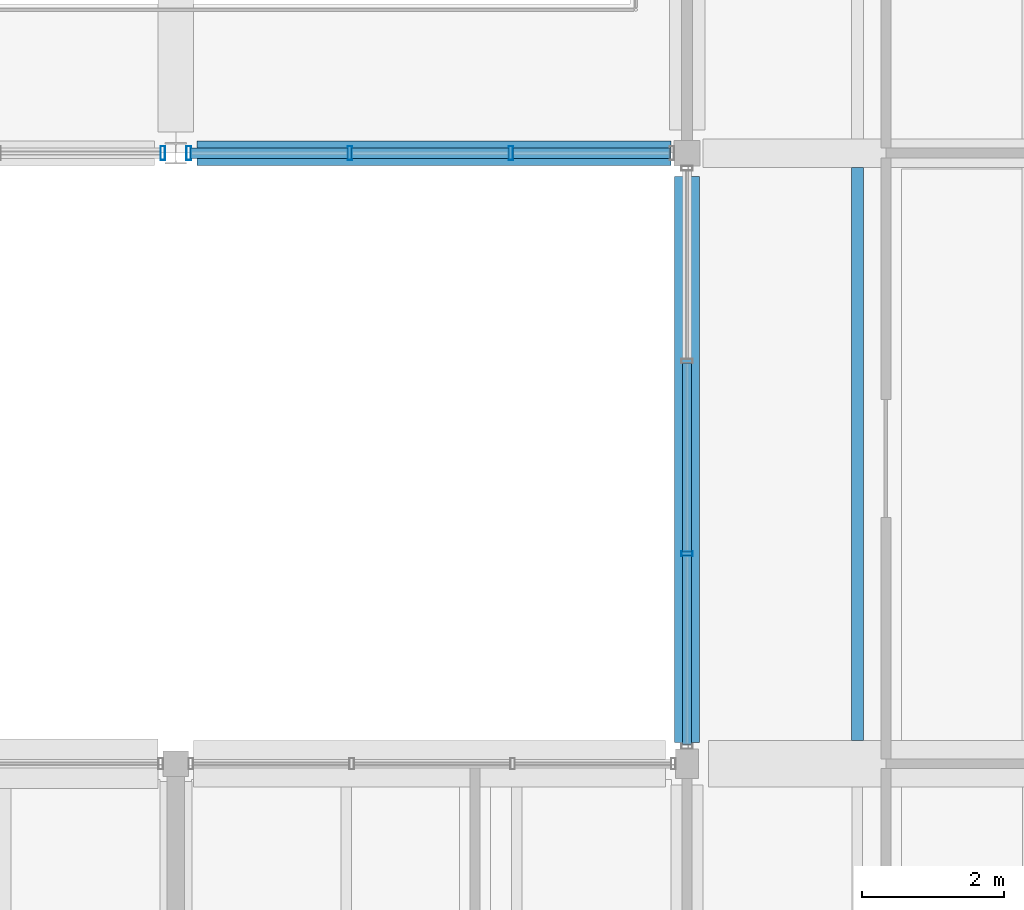
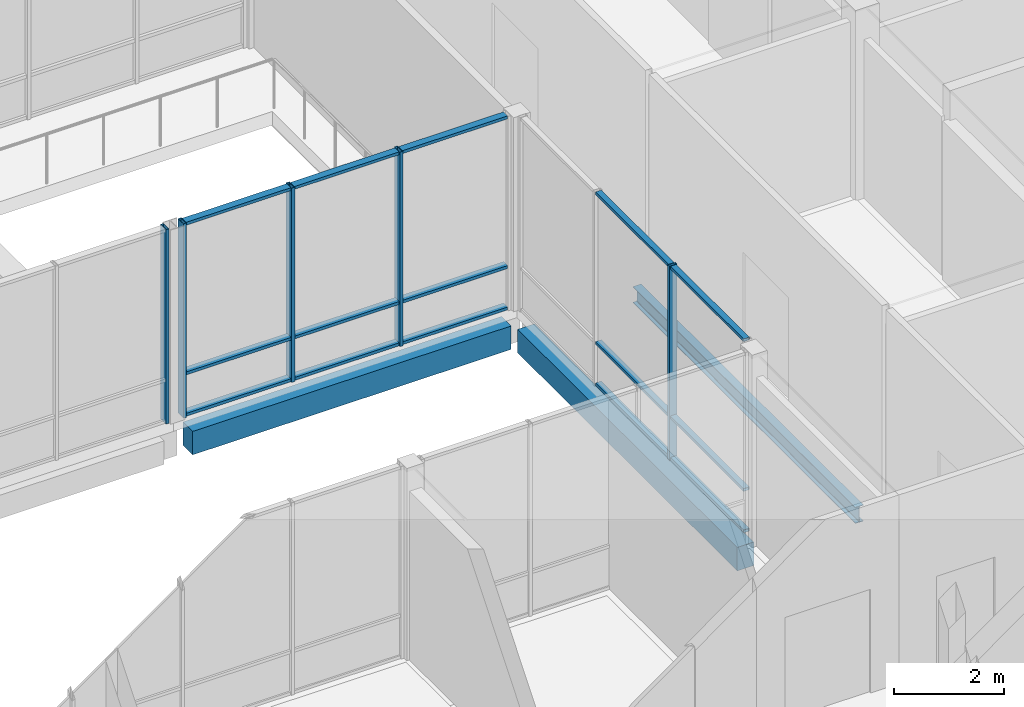
# One storey, part 71 of 146: 20 members, 3 beams, 3 elements without a shape of their own.
"""IFC4 building model written with IfcOpenShell, lengths in metres."""

from ifc_helpers import new_model, si_unit, direction, frame, origin, origin_2d, place, context, subcontext, project, spatial, rectangle, hollow_rectangle, i_section, extrude, material, material_profile, profile_set, type_object, element, aggregate, save


model = new_model("IFC4")

# Units and contexts
model_context = context("Model", 3, precision=1e-05, world=origin(), true_north=direction((0.0, 1.0)))
body_context = subcontext(model_context, "Body", "Model", "MODEL_VIEW")
ifc_project = project(units=[si_unit("LENGTHUNIT", "METRE"), si_unit("AREAUNIT", "SQUARE_METRE"), si_unit("VOLUMEUNIT", "CUBIC_METRE"), si_unit("PLANEANGLEUNIT", "RADIAN"), si_unit("MASSUNIT", "GRAM", prefix="KILO")], contexts=[model_context])

# Site, building, storey
site_placement = place(None, origin())
site = spatial("IfcSite", under=ifc_project, at=site_placement, CompositionType="ELEMENT")
building_placement = place(site_placement, origin())
building = spatial("IfcBuilding", under=site, at=building_placement, Name="Hawrajan Terrace Health Centre", CompositionType="ELEMENT")
storey_placement = place(building_placement, frame((0.0, 0.0, 4.5)))
storey = spatial("IfcBuildingStorey", under=building, at=storey_placement, Name="L01", CompositionType="ELEMENT", Elevation=4.5)

# Curtain wall, member
ifc_material_1 = material(Name="Anodized bronze aluminium and low-E solar glazing", Category="aluminium")
curtain_wall_type_1 = type_object("IfcCurtainWallType", Name="CW_Court_SeriesB3", PredefinedType="USERDEFINED", material=ifc_material_1)
curtain_wall_1_placement = place(storey_placement, origin())
curtain_wall_1 = element("IfcCurtainWall", 1, at=curtain_wall_1_placement, inside=storey, type_object=curtain_wall_type_1, Name="Curtain wall CW-L01-102", ObjectType="UNITISED CURTAIN WALL", PredefinedType="USERDEFINED")
ifc_material_2 = material(Name="Anodized bronze aluminium 6063-T6", Category="aluminium")
ifc_material_profile_1 = material_profile(ifc_material_2, hollow_rectangle(XDim=0.06494140625, YDim=0.159912109375, WallThickness=0.00390625, at=origin_2d()), Name="CW MUL 65x160")
ifc_profile_set_1 = profile_set([ifc_material_profile_1], Name="Anodized bronze aluminium 6063-T6")
member_type_1 = type_object("IfcMemberType", Name="CWMullion_65x160", PredefinedType="MULLION", material=ifc_profile_set_1)
member_1_placement = place(storey_placement, frame((107.800048828125, 21.5576171875, -0.0048828125), z_axis=(0.0, 0.0, 1.0), x_axis=(0.0, 1.0, 0.0)))
member_1 = element("IfcMember", 2, at=member_1_placement, type_object=member_type_1, Name="Mullion CW-L01-102-M2", PredefinedType="MULLION", context=body_context, shape_type="SweptSolid", body=[
    extrude(hollow_rectangle(XDim=0.06494140625, YDim=0.159912109375, WallThickness=0.00390625, at=origin_2d()), origin(), (0.0, 0.0, 1.0), 4.309814453125),
])

curtain_wall_type_2 = type_object("IfcCurtainWallType", Name="CW_Court_SeriesA1", PredefinedType="USERDEFINED", material=ifc_material_1)
curtain_wall_2_placement = place(storey_placement, origin())
curtain_wall_2 = element("IfcCurtainWall", 3, at=curtain_wall_2_placement, inside=storey, type_object=curtain_wall_type_2, Name="Curtain wall CW-L01-097", ObjectType="UNITISED CURTAIN WALL", PredefinedType="USERDEFINED")
ifc_material_profile_2 = material_profile(ifc_material_2, hollow_rectangle(XDim=0.06494140625, YDim=0.199951171875, WallThickness=0.00439453125, at=origin_2d()), Name="CW MUL 65x200")
ifc_profile_set_2 = profile_set([ifc_material_profile_2], Name="Anodized bronze aluminium 6063-T6")
member_type_2 = type_object("IfcMemberType", Name="CWMullion_65x200", PredefinedType="MULLION", material=ifc_profile_set_2)
member_2_placement = place(storey_placement, frame((100.41748046875, 27.199951171875, -0.0048828125), z_axis=(0.0, 0.0, 1.0), x_axis=(1.0, 0.0, 0.0)))
member_2 = element("IfcMember", 4, at=member_2_placement, type_object=member_type_2, Name="Mullion CW-L01-097-M5", PredefinedType="MULLION", context=body_context, shape_type="SweptSolid", body=[
    extrude(hollow_rectangle(XDim=0.06494140625, YDim=0.199951171875, WallThickness=0.00439453125, at=origin_2d()), origin(), (0.0, 0.0, 1.0), 4.309814453125),
])
aggregate(curtain_wall_2, [member_2])

# Curtain wall, members
curtain_wall_type_3 = type_object("IfcCurtainWallType", Name="CW_Court_SeriesB1", PredefinedType="USERDEFINED", material=ifc_material_1)
curtain_wall_3_placement = place(storey_placement, origin())
curtain_wall_3 = element("IfcCurtainWall", 5, at=curtain_wall_3_placement, inside=storey, type_object=curtain_wall_type_3, Name="Curtain wall CW-L01-100", ObjectType="UNITISED CURTAIN WALL", PredefinedType="USERDEFINED")
member_3_placement = place(storey_placement, frame((100.782470703125, 27.199951171875, -0.0048828125), z_axis=(0.0, 0.0, 1.0), x_axis=(1.0, 0.0, 0.0)))
member_3 = element("IfcMember", 6, at=member_3_placement, type_object=member_type_2, Name="Mullion CW-L01-100-M1", PredefinedType="MULLION", context=body_context, shape_type="SweptSolid", body=[
    extrude(hollow_rectangle(XDim=0.06494140625, YDim=0.199951171875, WallThickness=0.00439453125, at=origin_2d()), origin(), (0.0, 0.0, 1.0), 4.309814453125),
])
member_4_placement = place(storey_placement, frame((103.05078125, 27.199951171875, -0.0048828125), z_axis=(0.0, 0.0, 1.0), x_axis=(1.0, 0.0, 0.0)))
member_4 = element("IfcMember", 7, at=member_4_placement, type_object=member_type_2, Name="Mullion CW-L01-100-M2", PredefinedType="MULLION", context=body_context, shape_type="SweptSolid", body=[
    extrude(hollow_rectangle(XDim=0.06494140625, YDim=0.199951171875, WallThickness=0.00439453125, at=origin_2d()), origin(), (0.0, 0.0, 1.0), 4.309814453125),
])
member_5_placement = place(storey_placement, frame((105.319091796875, 27.199951171875, -0.0048828125), z_axis=(0.0, 0.0, 1.0), x_axis=(1.0, 0.0, 0.0)))
member_5 = element("IfcMember", 8, at=member_5_placement, type_object=member_type_2, Name="Mullion CW-L01-100-M3", PredefinedType="MULLION", context=body_context, shape_type="SweptSolid", body=[
    extrude(hollow_rectangle(XDim=0.06494140625, YDim=0.199951171875, WallThickness=0.00439453125, at=origin_2d()), origin(), (0.0, 0.0, 1.0), 4.309814453125),
])

# Member
ifc_material_profile_3 = material_profile(ifc_material_2, hollow_rectangle(XDim=0.06494140625, YDim=0.1201171875, WallThickness=0.00341796875, at=origin_2d()), Name="CW TRN 65x120")
ifc_profile_set_3 = profile_set([ifc_material_profile_3], Name="Anodized bronze aluminium 6063-T6")
member_type_3 = type_object("IfcMemberType", Name="CWTransom_65x120", PredefinedType="USERDEFINED", material=ifc_profile_set_3)
member_6_placement = place(storey_placement, frame((107.800048828125, 18.868896484375, 0.032470703125), z_axis=(0.0, 1.0, 0.0), x_axis=(0.0, 0.0, 1.0)))
member_6 = element("IfcMember", 9, at=member_6_placement, type_object=member_type_3, Name="Transom CW-L01-102-T1-1", ObjectType="TRANSOM", PredefinedType="USERDEFINED", context=body_context, shape_type="SweptSolid", body=[
    extrude(hollow_rectangle(XDim=0.06494140625, YDim=0.1201171875, WallThickness=0.00341796875, at=origin_2d()), origin(), (0.0, 0.0, 1.0), 2.662109375),
])

member_7_placement = place(storey_placement, frame((107.800048828125, 18.868896484375, 0.949951171875), z_axis=(0.0, 1.0, 0.0), x_axis=(0.0, 0.0, 1.0)))
member_7 = element("IfcMember", 10, at=member_7_placement, type_object=member_type_3, Name="Transom CW-L01-102-T1-2", ObjectType="TRANSOM", PredefinedType="USERDEFINED", context=body_context, shape_type="SweptSolid", body=[
    extrude(hollow_rectangle(XDim=0.06494140625, YDim=0.1201171875, WallThickness=0.00341796875, at=origin_2d()), origin(), (0.0, 0.0, 1.0), 2.662109375),
])

member_8_placement = place(storey_placement, frame((107.800048828125, 18.868896484375, 4.267578125), z_axis=(0.0, 1.0, 0.0), x_axis=(0.0, 0.0, 1.0)))
member_8 = element("IfcMember", 11, at=member_8_placement, type_object=member_type_3, Name="Transom CW-L01-102-T1-3", ObjectType="TRANSOM", PredefinedType="USERDEFINED", context=body_context, shape_type="SweptSolid", body=[
    extrude(hollow_rectangle(XDim=0.06494140625, YDim=0.1201171875, WallThickness=0.00341796875, at=origin_2d()), origin(), (0.0, 0.0, 1.0), 2.662109375),
])

member_9_placement = place(storey_placement, frame((107.800048828125, 21.583984375, 0.032470703125), z_axis=(0.0, 1.0, 0.0), x_axis=(0.0, 0.0, 1.0)))
member_9 = element("IfcMember", 12, at=member_9_placement, type_object=member_type_3, Name="Transom CW-L01-102-T2-1", ObjectType="TRANSOM", PredefinedType="USERDEFINED", context=body_context, shape_type="SweptSolid", body=[
    extrude(hollow_rectangle(XDim=0.06494140625, YDim=0.1201171875, WallThickness=0.00341796875, at=origin_2d()), origin(), (0.0, 0.0, 1.0), 2.662109375),
])

member_10_placement = place(storey_placement, frame((107.800048828125, 21.583984375, 0.949951171875), z_axis=(0.0, 1.0, 0.0), x_axis=(0.0, 0.0, 1.0)))
member_10 = element("IfcMember", 13, at=member_10_placement, type_object=member_type_3, Name="Transom CW-L01-102-T2-2", ObjectType="TRANSOM", PredefinedType="USERDEFINED", context=body_context, shape_type="SweptSolid", body=[
    extrude(hollow_rectangle(XDim=0.06494140625, YDim=0.1201171875, WallThickness=0.00341796875, at=origin_2d()), origin(), (0.0, 0.0, 1.0), 2.662109375),
])

member_11_placement = place(storey_placement, frame((107.800048828125, 21.583984375, 4.267578125), z_axis=(0.0, 1.0, 0.0), x_axis=(0.0, 0.0, 1.0)))
member_11 = element("IfcMember", 14, at=member_11_placement, type_object=member_type_3, Name="Transom CW-L01-102-T2-3", ObjectType="TRANSOM", PredefinedType="USERDEFINED", context=body_context, shape_type="SweptSolid", body=[
    extrude(hollow_rectangle(XDim=0.06494140625, YDim=0.1201171875, WallThickness=0.00341796875, at=origin_2d()), origin(), (0.0, 0.0, 1.0), 2.662109375),
])

aggregate(curtain_wall_1, [member_1, member_6, member_7, member_8, member_9, member_10, member_11])

ifc_material_profile_4 = material_profile(ifc_material_2, hollow_rectangle(XDim=0.06494140625, YDim=0.14990234375, WallThickness=0.00390625, at=origin_2d()), Name="CW TRN 65x150")
ifc_profile_set_4 = profile_set([ifc_material_profile_4], Name="Anodized bronze aluminium 6063-T6")
member_type_4 = type_object("IfcMemberType", Name="CWTransom_65x150", PredefinedType="USERDEFINED", material=ifc_profile_set_4)
member_12_placement = place(storey_placement, frame((100.80908203125, 27.199951171875, 0.032470703125), z_axis=(1.0, 0.0, 0.0), x_axis=(0.0, 0.0, 1.0)))
member_12 = element("IfcMember", 15, at=member_12_placement, type_object=member_type_4, Name="Transom CW-L01-100-T1-1", ObjectType="TRANSOM", PredefinedType="USERDEFINED", context=body_context, shape_type="SweptSolid", body=[
    extrude(hollow_rectangle(XDim=0.06494140625, YDim=0.14990234375, WallThickness=0.00390625, at=origin_2d()), origin(), (0.0, 0.0, 1.0), 2.21533203125),
])

member_13_placement = place(storey_placement, frame((100.80908203125, 27.199951171875, 0.949951171875), z_axis=(1.0, 0.0, 0.0), x_axis=(0.0, 0.0, 1.0)))
member_13 = element("IfcMember", 16, at=member_13_placement, type_object=member_type_4, Name="Transom CW-L01-100-T1-2", ObjectType="TRANSOM", PredefinedType="USERDEFINED", context=body_context, shape_type="SweptSolid", body=[
    extrude(hollow_rectangle(XDim=0.06494140625, YDim=0.14990234375, WallThickness=0.00390625, at=origin_2d()), origin(), (0.0, 0.0, 1.0), 2.21533203125),
])

member_14_placement = place(storey_placement, frame((100.80908203125, 27.199951171875, 4.267578125), z_axis=(1.0, 0.0, 0.0), x_axis=(0.0, 0.0, 1.0)))
member_14 = element("IfcMember", 17, at=member_14_placement, type_object=member_type_4, Name="Transom CW-L01-100-T1-3", ObjectType="TRANSOM", PredefinedType="USERDEFINED", context=body_context, shape_type="SweptSolid", body=[
    extrude(hollow_rectangle(XDim=0.06494140625, YDim=0.14990234375, WallThickness=0.00390625, at=origin_2d()), origin(), (0.0, 0.0, 1.0), 2.21533203125),
])

member_15_placement = place(storey_placement, frame((103.077392578125, 27.199951171875, 0.032470703125), z_axis=(1.0, 0.0, 0.0), x_axis=(0.0, 0.0, 1.0)))
member_15 = element("IfcMember", 18, at=member_15_placement, type_object=member_type_4, Name="Transom CW-L01-100-T2-1", ObjectType="TRANSOM", PredefinedType="USERDEFINED", context=body_context, shape_type="SweptSolid", body=[
    extrude(hollow_rectangle(XDim=0.06494140625, YDim=0.14990234375, WallThickness=0.00390625, at=origin_2d()), origin(), (0.0, 0.0, 1.0), 2.21533203125),
])

member_16_placement = place(storey_placement, frame((103.077392578125, 27.199951171875, 0.949951171875), z_axis=(1.0, 0.0, 0.0), x_axis=(0.0, 0.0, 1.0)))
member_16 = element("IfcMember", 19, at=member_16_placement, type_object=member_type_4, Name="Transom CW-L01-100-T2-2", ObjectType="TRANSOM", PredefinedType="USERDEFINED", context=body_context, shape_type="SweptSolid", body=[
    extrude(hollow_rectangle(XDim=0.06494140625, YDim=0.14990234375, WallThickness=0.00390625, at=origin_2d()), origin(), (0.0, 0.0, 1.0), 2.21533203125),
])

member_17_placement = place(storey_placement, frame((103.077392578125, 27.199951171875, 4.267578125), z_axis=(1.0, 0.0, 0.0), x_axis=(0.0, 0.0, 1.0)))
member_17 = element("IfcMember", 20, at=member_17_placement, type_object=member_type_4, Name="Transom CW-L01-100-T2-3", ObjectType="TRANSOM", PredefinedType="USERDEFINED", context=body_context, shape_type="SweptSolid", body=[
    extrude(hollow_rectangle(XDim=0.06494140625, YDim=0.14990234375, WallThickness=0.00390625, at=origin_2d()), origin(), (0.0, 0.0, 1.0), 2.21533203125),
])

member_18_placement = place(storey_placement, frame((105.345703125, 27.199951171875, 0.032470703125), z_axis=(1.0, 0.0, 0.0), x_axis=(0.0, 0.0, 1.0)))
member_18 = element("IfcMember", 21, at=member_18_placement, type_object=member_type_4, Name="Transom CW-L01-100-T3-1", ObjectType="TRANSOM", PredefinedType="USERDEFINED", context=body_context, shape_type="SweptSolid", body=[
    extrude(hollow_rectangle(XDim=0.06494140625, YDim=0.14990234375, WallThickness=0.00390625, at=origin_2d()), origin(), (0.0, 0.0, 1.0), 2.21533203125),
])

member_19_placement = place(storey_placement, frame((105.345703125, 27.199951171875, 0.949951171875), z_axis=(1.0, 0.0, 0.0), x_axis=(0.0, 0.0, 1.0)))
member_19 = element("IfcMember", 22, at=member_19_placement, type_object=member_type_4, Name="Transom CW-L01-100-T3-2", ObjectType="TRANSOM", PredefinedType="USERDEFINED", context=body_context, shape_type="SweptSolid", body=[
    extrude(hollow_rectangle(XDim=0.06494140625, YDim=0.14990234375, WallThickness=0.00390625, at=origin_2d()), origin(), (0.0, 0.0, 1.0), 2.21533203125),
])

member_20_placement = place(storey_placement, frame((105.345703125, 27.199951171875, 4.267578125), z_axis=(1.0, 0.0, 0.0), x_axis=(0.0, 0.0, 1.0)))
member_20 = element("IfcMember", 23, at=member_20_placement, type_object=member_type_4, Name="Transom CW-L01-100-T3-3", ObjectType="TRANSOM", PredefinedType="USERDEFINED", context=body_context, shape_type="SweptSolid", body=[
    extrude(hollow_rectangle(XDim=0.06494140625, YDim=0.14990234375, WallThickness=0.00390625, at=origin_2d()), origin(), (0.0, 0.0, 1.0), 2.21533203125),
])

aggregate(curtain_wall_3, [member_3, member_4, member_5, member_12, member_13, member_14, member_15, member_16, member_17, member_18, member_19, member_20])

# Beams
ifc_material_3 = material(Name="Concrete C40/50", Category="concrete")
ifc_material_profile_5 = material_profile(ifc_material_3, rectangle(XDim=0.35009765625, YDim=0.52001953125, at=origin_2d()), Name="RC SP 350x520")
ifc_profile_set_5 = profile_set([ifc_material_profile_5], Name="Concrete C40/50")
beam_type_1 = type_object("IfcBeamType", Name="RCSpandrel_350x520", PredefinedType="SPANDREL", material=ifc_profile_set_5)
beam_1_placement = place(storey_placement, frame((100.89990234375, 27.199951171875, -0.56005859375), z_axis=(1.0, 0.0, 0.0), x_axis=(0.0, 1.0, 0.0)))
element("IfcBeam", 24, at=beam_1_placement, inside=storey, type_object=beam_type_1, Name="Beam BM-X-L01-C-13-Y4", PredefinedType="SPANDREL", context=body_context, shape_type="SweptSolid", body=[
    extrude(rectangle(XDim=0.35009765625, YDim=0.52001953125, at=origin_2d()), origin(), (0.0, 0.0, 1.0), 6.675048828125),
])
beam_2_placement = place(storey_placement, frame((107.800048828125, 18.89990234375, -0.56005859375), z_axis=(0.0, 1.0, 0.0), x_axis=(-1.0, 0.0, 0.0)))
element("IfcBeam", 25, at=beam_2_placement, inside=storey, type_object=beam_type_1, Name="Beam BM-Y-L01-C-X14-3", PredefinedType="SPANDREL", context=body_context, shape_type="SweptSolid", body=[
    extrude(rectangle(XDim=0.35009765625, YDim=0.52001953125, at=origin_2d()), origin(), (0.0, 0.0, 1.0), 7.97509765625),
])
ifc_material_4 = material(Name="Steel S355", Category="steel")
ifc_material_profile_6 = material_profile(ifc_material_4, i_section(OverallWidth=0.169921875, OverallDepth=0.360107421875, WebThickness=0.008056640625, FlangeThickness=0.0126953125, FilletRadius=0.01806640625, at=origin_2d()), Name="IPE 360")
ifc_profile_set_6 = profile_set([ifc_material_profile_6], Name="Steel S355")
beam_type_2 = type_object("IfcBeamType", Name="SteelBeam_IPE360", PredefinedType="BEAM", material=ifc_profile_set_6)
beam_3_placement = place(storey_placement, frame((110.199951171875, 18.925048828125, -0.47998046875), z_axis=(0.0, 1.0, 0.0), x_axis=(-1.0, 0.0, 0.0)))
element("IfcBeam", 26, at=beam_3_placement, inside=storey, type_object=beam_type_2, Name="Secondary joist JST-L01-C-14-3-1", PredefinedType="BEAM", context=body_context, shape_type="SweptSolid", body=[
    extrude(i_section(OverallWidth=0.169921875, OverallDepth=0.360107421875, WebThickness=0.008056640625, FlangeThickness=0.0126953125, FilletRadius=0.01806640625, at=origin_2d()), origin(), (0.0, 0.0, 1.0), 8.074951171875),
])

save(model, "model.ifc")
